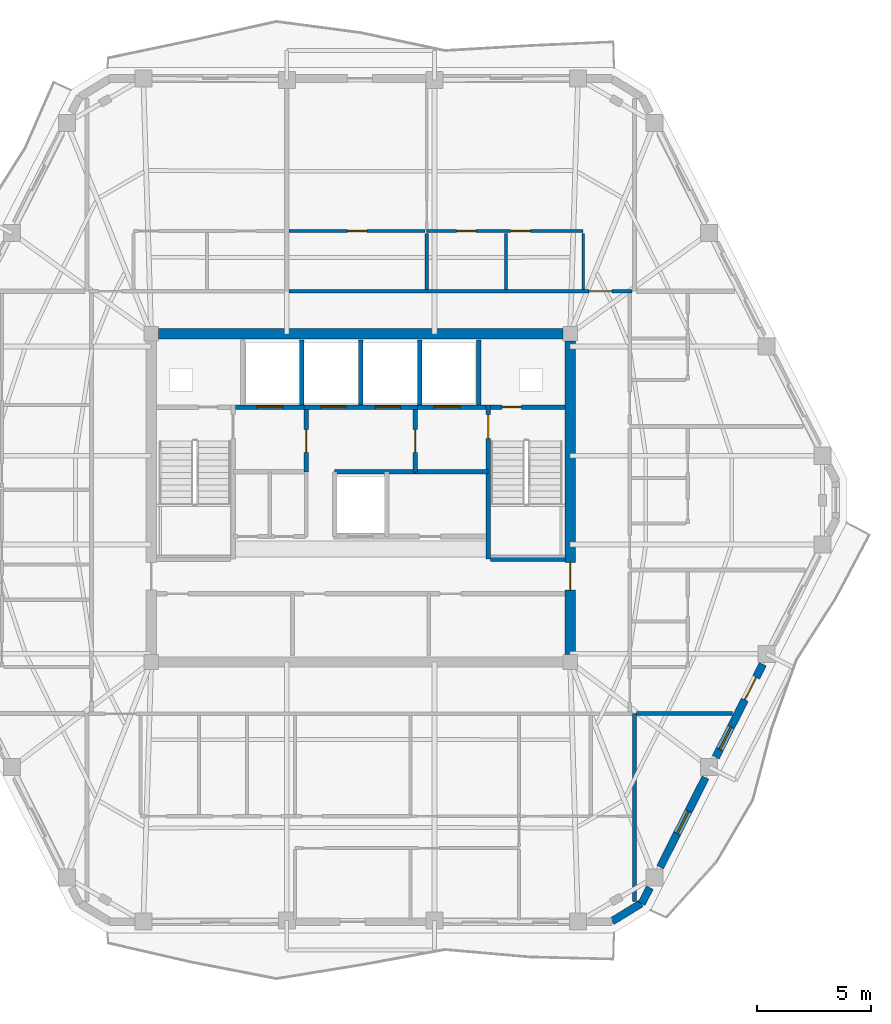
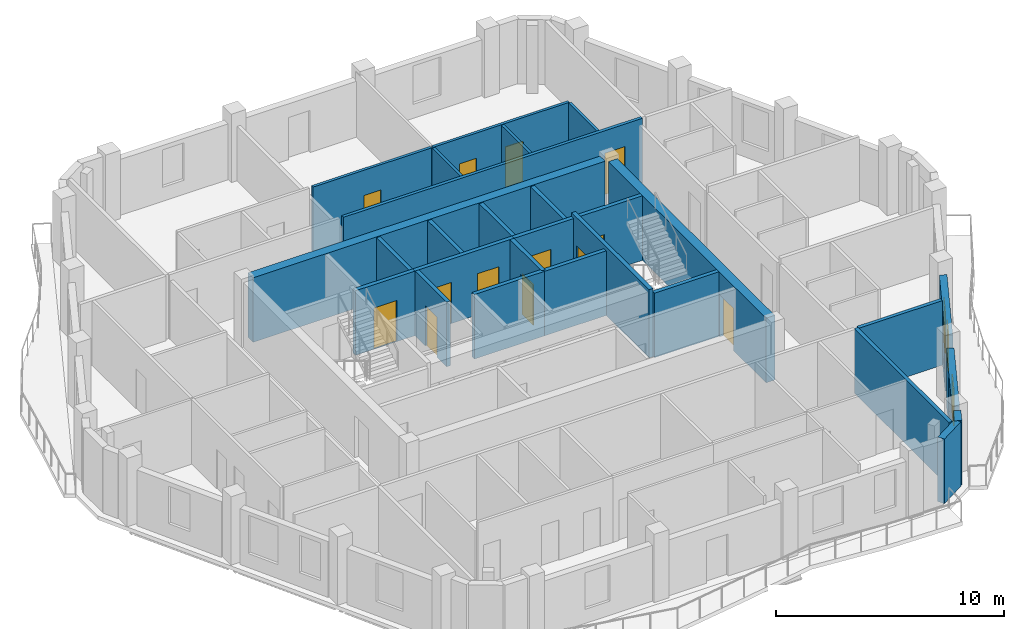
# One storey, part 6 of 11: 28 walls, 14 doors, 2 windows, 16 openings.
"""IFC4 building model written with IfcOpenShell, lengths in metres."""

from ifc_helpers import new_model, si_unit, direction, frame, frame_2d, origin, place, context, subcontext, project, spatial, rectangle, extrude, material, layer, layer_set, type_object, element, fill, save


model = new_model("IFC4")

# Units and contexts
model_context = context("Model", 3, precision=1e-05, world=origin(), true_north=direction((0.0, 1.0)))
body_context = subcontext(model_context, "Body", "Model", "MODEL_VIEW")
ifc_project = project(units=[si_unit("LENGTHUNIT", "METRE"), si_unit("AREAUNIT", "SQUARE_METRE"), si_unit("VOLUMEUNIT", "CUBIC_METRE"), si_unit("PLANEANGLEUNIT", "RADIAN"), si_unit("MASSUNIT", "GRAM", prefix="KILO")], contexts=[model_context])

# Site, building, storey
site_placement = place(None, origin())
site = spatial("IfcSite", under=ifc_project, at=site_placement, CompositionType="ELEMENT")
building_placement = place(site_placement, origin())
building = spatial("IfcBuilding", under=site, at=building_placement, Name="Cinnabar Lancet Tower", CompositionType="ELEMENT")
storey_placement = place(building_placement, frame((0.0, 0.0, 252.550048828125)))
storey = spatial("IfcBuildingStorey", under=building, at=storey_placement, Name="L67", CompositionType="ELEMENT", Elevation=252.550048828125)

# Wall, opening, door
ifc_material_1 = material(Name="Acoustic twin-stud gypsum partition", Category="gypsum")
ifc_layer_1 = layer(ifc_material_1, 0.159912109375)
ifc_layer_set_1 = layer_set([ifc_layer_1], Name="Acoustic twin-stud gypsum partition")
wall_type_1 = type_object("IfcWallType", Name="ARC-WL-CORR-160", PredefinedType="PARTITIONING", material=ifc_layer_set_1)
wall_1_placement = place(storey_placement, frame((29.240966796875, 35.0, 0.0), z_axis=(0.0, 0.0, 1.0), x_axis=(1.0, 0.0, 0.0)))
wall_1 = element("IfcWall", 1, at=wall_1_placement, inside=storey, type_object=wall_type_1, Name="L67 Unit N02 Corridor Wall", PredefinedType="PARTITIONING", context=body_context, shape_type="SweptSolid", body=[
    extrude(rectangle(XDim=15.114013671875, YDim=0.159912109375, at=frame_2d((7.55712890625, 0.0))), origin(), (0.0, 0.0, 1.0), 3.449951171875),
])
opening_1_placement = place(wall_1_placement, frame((13.208984375, 0.0, 0.0)))
opening_1 = element("IfcOpeningElement", 2, at=opening_1_placement, cuts=wall_1, Name="Opening UD-01", PredefinedType="OPENING", context=body_context, shape_type="SweptSolid", body=[
    extrude(rectangle(XDim=1.02001953125, YDim=2.25, at=frame_2d((0.510009765625, 1.125))), frame((0.0, 0.08984375, 0.0), z_axis=(0.0, -1.0, 0.0), x_axis=(1.0, 0.0, 0.0)), (0.0, 0.0, 1.0), 0.179931640625),
])
ifc_material_2 = material(Name="Solid timber fire-rated apartment entrance door", Category="wood")
door_type_1 = type_object("IfcDoorType", Name="ARC-DR-UNIT", OperationType="NOTDEFINED", PredefinedType="DOOR", material=ifc_material_2)
door_1_placement = place(opening_1_placement, origin())
door_1 = element("IfcDoor", 3, at=door_1_placement, inside=storey, type_object=door_type_1, Name="DR-L67-N02-ENT", OperationType="SINGLE_SWING_LEFT", OverallHeight=2.25, OverallWidth=1.02001953125, PredefinedType="DOOR", context=body_context, shape_type="SweptSolid", body=[
    extrude(rectangle(XDim=1.02001953125, YDim=2.25, at=frame_2d((0.510009765625, 1.125))), frame((0.0, 0.02490234375, 0.0), z_axis=(0.0, -1.0, 0.0), x_axis=(1.0, 0.0, 0.0)), (0.0, 0.0, 1.0), 0.050048828125),
])
fill(opening_1, door_1)

# Walls
ifc_material_3 = material(Name="Fire-rated twin-frame acoustic drywall", Category="gypsum")
ifc_layer_2 = layer(ifc_material_3, 0.179931640625)
ifc_layer_set_2 = layer_set([ifc_layer_2], Name="Fire-rated twin-frame acoustic drywall")
wall_type_2 = type_object("IfcWallType", Name="ARC-WL-PARTY-180", PredefinedType="PARTITIONING", material=ifc_layer_set_2)
wall_2_placement = place(storey_placement, frame((44.449951171875, 8.118896484375, 0.0), z_axis=(0.0, 0.0, 1.0), x_axis=(0.0, 1.0, 0.0)))
element("IfcWall", 4, at=wall_2_placement, inside=storey, type_object=wall_type_2, Name="PW-L67-SPTY-444", PredefinedType="PARTITIONING", context=body_context, shape_type="SweptSolid", body=[
    extrude(rectangle(XDim=8.281005859375, YDim=0.179931640625, at=frame_2d((4.140625, 0.0))), origin(), (0.0, 0.0, 1.0), 3.449951171875),
])
wall_3_placement = place(storey_placement, frame((44.544921875, 16.39990234375, 0.0), z_axis=(0.0, 0.0, 1.0), x_axis=(1.0, 0.0, 0.0)))
element("IfcWall", 5, at=wall_3_placement, inside=storey, type_object=wall_type_2, Name="PW-L67-ESB", PredefinedType="PARTITIONING", context=body_context, shape_type="SweptSolid", body=[
    extrude(rectangle(XDim=4.22119140625, YDim=0.179931640625, at=frame_2d((2.110595703125, 0.0))), origin(), (0.0, 0.0, 1.0), 3.449951171875),
])
ifc_material_4 = material(Name="Autoclaved aerated concrete blockwork", Category="masonry")
ifc_layer_3 = layer(ifc_material_4, 0.199951171875)
ifc_layer_set_3 = layer_set([ifc_layer_3], Name="Autoclaved aerated concrete blockwork")
wall_type_3 = type_object("IfcWallType", Name="ARC-WL-SHAFT-200", PredefinedType="PLUMBINGWALL", material=ifc_layer_set_3)
wall_4_placement = place(storey_placement, frame((38.125, 23.199951171875, 0.0), z_axis=(0.0, 0.0, 1.0), x_axis=(1.0, 0.0, 0.0)))
element("IfcWall", 6, at=wall_4_placement, inside=storey, type_object=wall_type_3, Name="CW-ST2S-L67", PredefinedType="PLUMBINGWALL", context=body_context, shape_type="SweptSolid", body=[
    extrude(rectangle(XDim=3.27001953125, YDim=0.199951171875, at=frame_2d((1.635009765625, 0.0))), origin(), (0.0, 0.0, 1.0), 3.449951171875),
])

# Wall, opening, door
wall_5_placement = place(storey_placement, frame((26.885009765625, 29.89990234375, 0.0), z_axis=(0.0, 0.0, 1.0), x_axis=(1.0, 0.0, 0.0)))
wall_5 = element("IfcWall", 7, at=wall_5_placement, inside=storey, type_object=wall_type_3, Name="CW-FL1-L67", PredefinedType="PLUMBINGWALL", context=body_context, shape_type="SweptSolid", body=[
    extrude(rectangle(XDim=3.014892578125, YDim=0.199951171875, at=frame_2d((1.50732421875, 0.0))), origin(), (0.0, 0.0, 1.0), 3.449951171875),
])
opening_2_placement = place(wall_5_placement, frame((0.93994140625, 0.0, 0.0)))
opening_2 = element("IfcOpeningElement", 8, at=opening_2_placement, cuts=wall_5, Name="Opening LD-02", PredefinedType="OPENING", context=body_context, shape_type="SweptSolid", body=[
    extrude(rectangle(XDim=1.14990234375, YDim=2.199951171875, at=frame_2d((0.574951171875, 1.10009765625))), frame((0.0, 0.10986328125, 0.0), z_axis=(0.0, -1.0, 0.0), x_axis=(1.0, 0.0, 0.0)), (0.0, 0.0, 1.0), 0.219970703125),
])
ifc_material_5 = material(Name="Fire-rated stainless steel firefighting lift landing door", Category="steel")
door_type_2 = type_object("IfcDoorType", Name="ARC-DR-LD-FIRE", OperationType="NOTDEFINED", PredefinedType="DOOR", material=ifc_material_5)
door_2_placement = place(opening_2_placement, origin())
door_2 = element("IfcDoor", 9, at=door_2_placement, inside=storey, type_object=door_type_2, Name="L67 Firefighting Lift FL-1 Landing Door", OperationType="DOUBLE_DOOR_SLIDING", OverallHeight=2.199951171875, OverallWidth=1.14990234375, PredefinedType="DOOR", context=body_context, shape_type="SweptSolid", body=[
    extrude(rectangle(XDim=1.14990234375, YDim=2.199951171875, at=frame_2d((0.574951171875, 1.10009765625))), frame((0.0, 0.02490234375, 0.0), z_axis=(0.0, -1.0, 0.0), x_axis=(1.0, 0.0, 0.0)), (0.0, 0.0, 1.0), 0.050048828125),
])
fill(opening_2, door_2)

# Wall, openings, doors
wall_6_placement = place(storey_placement, frame((29.89990234375, 29.89990234375, 0.0), z_axis=(0.0, 0.0, 1.0), x_axis=(1.0, 0.0, 0.0)))
wall_6 = element("IfcWall", 10, at=wall_6_placement, inside=storey, type_object=wall_type_3, Name="CW-PL78-L67", PredefinedType="PLUMBINGWALL", context=body_context, shape_type="SweptSolid", body=[
    extrude(rectangle(XDim=5.0, YDim=0.199951171875, at=frame_2d((2.5, 0.0))), origin(), (0.0, 0.0, 1.0), 3.449951171875),
])
opening_3_placement = place(wall_6_placement, frame((0.75, 0.0, 0.0)))
opening_3 = element("IfcOpeningElement", 11, at=opening_3_placement, cuts=wall_6, Name="Opening LD-01", PredefinedType="OPENING", context=body_context, shape_type="SweptSolid", body=[
    extrude(rectangle(XDim=1.10009765625, YDim=2.199951171875, at=frame_2d((0.550048828125, 1.10009765625))), frame((0.0, 0.10986328125, 0.0), z_axis=(0.0, -1.0, 0.0), x_axis=(1.0, 0.0, 0.0)), (0.0, 0.0, 1.0), 0.219970703125),
])
opening_4_placement = place(wall_6_placement, frame((3.14990234375, 0.0, 0.0)))
opening_4 = element("IfcOpeningElement", 12, at=opening_4_placement, cuts=wall_6, Name="Opening LD-01", PredefinedType="OPENING", context=body_context, shape_type="SweptSolid", body=[
    extrude(rectangle(XDim=1.10009765625, YDim=2.199951171875, at=frame_2d((0.550048828125, 1.10009765625))), frame((0.0, 0.10986328125, 0.0), z_axis=(0.0, -1.0, 0.0), x_axis=(1.0, 0.0, 0.0)), (0.0, 0.0, 1.0), 0.219970703125),
])
ifc_material_6 = material(Name="Brushed stainless steel sliding lift door", Category="steel")
door_type_3 = type_object("IfcDoorType", Name="ARC-DR-LD-PASS", OperationType="NOTDEFINED", PredefinedType="DOOR", material=ifc_material_6)
door_3_placement = place(opening_3_placement, origin())
door_3 = element("IfcDoor", 13, at=door_3_placement, inside=storey, type_object=door_type_3, Name="L67 Lift PL-7 Landing Door", OperationType="DOUBLE_DOOR_SLIDING", OverallHeight=2.199951171875, OverallWidth=1.10009765625, PredefinedType="DOOR", context=body_context, shape_type="SweptSolid", body=[
    extrude(rectangle(XDim=1.10009765625, YDim=2.199951171875, at=frame_2d((0.550048828125, 1.10009765625))), frame((0.0, 0.02490234375, 0.0), z_axis=(0.0, -1.0, 0.0), x_axis=(1.0, 0.0, 0.0)), (0.0, 0.0, 1.0), 0.050048828125),
])
fill(opening_3, door_3)
door_4_placement = place(opening_4_placement, origin())
door_4 = element("IfcDoor", 14, at=door_4_placement, inside=storey, type_object=door_type_3, Name="L67 Lift PL-8 Landing Door", OperationType="DOUBLE_DOOR_SLIDING", OverallHeight=2.199951171875, OverallWidth=1.10009765625, PredefinedType="DOOR", context=body_context, shape_type="SweptSolid", body=[
    extrude(rectangle(XDim=1.10009765625, YDim=2.199951171875, at=frame_2d((0.550048828125, 1.10009765625))), frame((0.0, 0.02490234375, 0.0), z_axis=(0.0, -1.0, 0.0), x_axis=(1.0, 0.0, 0.0)), (0.0, 0.0, 1.0), 0.050048828125),
])
fill(opening_4, door_4)

# Wall, opening, door
wall_7_placement = place(storey_placement, frame((34.89990234375, 29.89990234375, 0.0), z_axis=(0.0, 0.0, 1.0), x_axis=(1.0, 0.0, 0.0)))
wall_7 = element("IfcWall", 15, at=wall_7_placement, inside=storey, type_object=wall_type_3, Name="CW-FL2-L67", PredefinedType="PLUMBINGWALL", context=body_context, shape_type="SweptSolid", body=[
    extrude(rectangle(XDim=3.01513671875, YDim=0.199951171875, at=frame_2d((1.507568359375, 0.0))), origin(), (0.0, 0.0, 1.0), 3.449951171875),
])
opening_5_placement = place(wall_7_placement, frame((0.72509765625, 0.0, 0.0)))
opening_5 = element("IfcOpeningElement", 16, at=opening_5_placement, cuts=wall_7, Name="Opening LD-02", PredefinedType="OPENING", context=body_context, shape_type="SweptSolid", body=[
    extrude(rectangle(XDim=1.14990234375, YDim=2.199951171875, at=frame_2d((0.574951171875, 1.10009765625))), frame((0.0, 0.10986328125, 0.0), z_axis=(0.0, -1.0, 0.0), x_axis=(1.0, 0.0, 0.0)), (0.0, 0.0, 1.0), 0.219970703125),
])
door_5_placement = place(opening_5_placement, origin())
door_5 = element("IfcDoor", 17, at=door_5_placement, inside=storey, type_object=door_type_2, Name="L67 Firefighting Lift FL-2 Landing Door", OperationType="DOUBLE_DOOR_SLIDING", OverallHeight=2.199951171875, OverallWidth=1.14990234375, PredefinedType="DOOR", context=body_context, shape_type="SweptSolid", body=[
    extrude(rectangle(XDim=1.14990234375, YDim=2.199951171875, at=frame_2d((0.574951171875, 1.10009765625))), frame((0.0, 0.02490234375, 0.0), z_axis=(0.0, -1.0, 0.0), x_axis=(1.0, 0.0, 0.0)), (0.0, 0.0, 1.0), 0.050048828125),
])
fill(opening_5, door_5)

wall_8_placement = place(storey_placement, frame((38.125, 29.89990234375, 0.0), z_axis=(0.0, 0.0, 1.0), x_axis=(1.0, 0.0, 0.0)))
wall_8 = element("IfcWall", 18, at=wall_8_placement, inside=storey, type_object=wall_type_3, Name="CW-NSH-E-L67", PredefinedType="PLUMBINGWALL", context=body_context, shape_type="SweptSolid", body=[
    extrude(rectangle(XDim=3.27001953125, YDim=0.199951171875, at=frame_2d((1.635009765625, 0.0))), origin(), (0.0, 0.0, 1.0), 3.449951171875),
])
opening_6_placement = place(wall_8_placement, frame((0.5, 0.0, 0.0)))
opening_6 = element("IfcOpeningElement", 19, at=opening_6_placement, cuts=wall_8, Name="Opening PD-02", PredefinedType="OPENING", context=body_context, shape_type="SweptSolid", body=[
    extrude(rectangle(XDim=0.85009765625, YDim=2.050048828125, at=frame_2d((0.425048828125, 1.02490234375))), frame((0.0, 0.10986328125, 0.0), z_axis=(0.0, -1.0, 0.0), x_axis=(1.0, 0.0, 0.0)), (0.0, 0.0, 1.0), 0.219970703125),
])
ifc_material_7 = material(Name="Fire-rated steel riser access door", Category="steel")
door_type_4 = type_object("IfcDoorType", Name="ARC-DR-RISER", OperationType="NOTDEFINED", PredefinedType="DOOR", material=ifc_material_7)
door_6_placement = place(opening_6_placement, origin())
door_6 = element("IfcDoor", 20, at=door_6_placement, inside=storey, type_object=door_type_4, Name="L67 East Riser Access Door", OperationType="SINGLE_SWING_RIGHT", OverallHeight=2.050048828125, OverallWidth=0.85009765625, PredefinedType="DOOR", context=body_context, shape_type="SweptSolid", body=[
    extrude(rectangle(XDim=0.85009765625, YDim=2.050048828125, at=frame_2d((0.425048828125, 1.02490234375))), frame((0.0, 0.02490234375, 0.0), z_axis=(0.0, -1.0, 0.0), x_axis=(1.0, 0.0, 0.0)), (0.0, 0.0, 1.0), 0.050048828125),
])
fill(opening_6, door_6)

# Walls
for number, where, z_axis, x_axis, name in (
    (21, (29.800048828125, 30.0, 0.0), (0.0, 0.0, 1.0), (0.0, 1.0, 0.0), "CW-NSH-D2-L67"),
    (22, (32.39990234375, 30.0, 0.0), (0.0, 0.0, 1.0), (0.0, 1.0, 0.0), "CW-NSH-D3-L67"),
    (23, (35.0, 30.0, 0.0), (0.0, 0.0, 1.0), (0.0, 1.0, 0.0), "CW-NSH-D4-L67"),
    (24, (37.60009765625, 30.0, 0.0), (0.0, 0.0, 1.0), (0.0, 1.0, 0.0), "CW-NSH-D5-L67"),
):
    element("IfcWall", number, at=place(storey_placement, frame(where, z_axis=z_axis, x_axis=x_axis)), inside=storey, type_object=wall_type_3, Name=name, PredefinedType="PLUMBINGWALL", context=body_context, shape_type="SweptSolid", body=[
        extrude(rectangle(XDim=2.85009765625, YDim=0.199951171875, at=frame_2d((1.425048828125, 0.0))), origin(), (0.0, 0.0, 1.0), 3.449951171875),
    ])

# Wall, opening, door
wall_9_placement = place(storey_placement, frame((30.0, 27.050048828125, 0.0), z_axis=(0.0, 0.0, 1.0), x_axis=(0.0, 1.0, 0.0)))
wall_9 = element("IfcWall", 25, at=wall_9_placement, inside=storey, type_object=wall_type_3, Name="CW-FF1E-L67", PredefinedType="PLUMBINGWALL", context=body_context, shape_type="SweptSolid", body=[
    extrude(rectangle(XDim=2.75, YDim=0.199951171875, at=frame_2d((1.375, 0.0))), origin(), (0.0, 0.0, 1.0), 3.449951171875),
])
opening_7_placement = place(wall_9_placement, frame((0.85009765625, 0.0, 0.0)))
opening_7 = element("IfcOpeningElement", 26, at=opening_7_placement, cuts=wall_9, Name="Opening FD-01", PredefinedType="OPENING", context=body_context, shape_type="SweptSolid", body=[
    extrude(rectangle(XDim=1.0, YDim=2.14990234375, at=frame_2d((0.5, 1.074951171875))), frame((0.0, 0.10986328125, 0.0), z_axis=(0.0, -1.0, 0.0), x_axis=(1.0, 0.0, 0.0)), (0.0, 0.0, 1.0), 0.219970703125),
])
ifc_material_8 = material(Name="Fire-rated timber-core lobby door", Category="wood")
door_type_5 = type_object("IfcDoorType", Name="ARC-DR-FFAL", OperationType="NOTDEFINED", PredefinedType="DOOR", material=ifc_material_8)
door_7_placement = place(opening_7_placement, origin())
door_7 = element("IfcDoor", 27, at=door_7_placement, inside=storey, type_object=door_type_5, Name="L67 FFAL-1 Lobby Fire Door", OperationType="SINGLE_SWING_RIGHT", OverallHeight=2.14990234375, OverallWidth=1.0, PredefinedType="DOOR", context=body_context, shape_type="SweptSolid", body=[
    extrude(rectangle(XDim=1.0, YDim=2.14990234375, at=frame_2d((0.5, 1.074951171875))), frame((0.0, 0.02490234375, 0.0), z_axis=(0.0, -1.0, 0.0), x_axis=(1.0, 0.0, 0.0)), (0.0, 0.0, 1.0), 0.050048828125),
])
fill(opening_7, door_7)

wall_10_placement = place(storey_placement, frame((34.800048828125, 27.050048828125, 0.0), z_axis=(0.0, 0.0, 1.0), x_axis=(0.0, 1.0, 0.0)))
wall_10 = element("IfcWall", 28, at=wall_10_placement, inside=storey, type_object=wall_type_3, Name="CW-FF2W-L67", PredefinedType="PLUMBINGWALL", context=body_context, shape_type="SweptSolid", body=[
    extrude(rectangle(XDim=2.75, YDim=0.199951171875, at=frame_2d((1.375, 0.0))), origin(), (0.0, 0.0, 1.0), 3.449951171875),
])
opening_8_placement = place(wall_10_placement, frame((0.85009765625, 0.0, 0.0)))
opening_8 = element("IfcOpeningElement", 29, at=opening_8_placement, cuts=wall_10, Name="Opening FD-01", PredefinedType="OPENING", context=body_context, shape_type="SweptSolid", body=[
    extrude(rectangle(XDim=1.0, YDim=2.14990234375, at=frame_2d((0.5, 1.074951171875))), frame((0.0, 0.10986328125, 0.0), z_axis=(0.0, -1.0, 0.0), x_axis=(1.0, 0.0, 0.0)), (0.0, 0.0, 1.0), 0.219970703125),
])
door_8_placement = place(opening_8_placement, origin())
door_8 = element("IfcDoor", 30, at=door_8_placement, inside=storey, type_object=door_type_5, Name="L67 FFAL-2 Lobby Fire Door", OperationType="SINGLE_SWING_LEFT", OverallHeight=2.14990234375, OverallWidth=1.0, PredefinedType="DOOR", context=body_context, shape_type="SweptSolid", body=[
    extrude(rectangle(XDim=1.0, YDim=2.14990234375, at=frame_2d((0.5, 1.074951171875))), frame((0.0, 0.02490234375, 0.0), z_axis=(0.0, -1.0, 0.0), x_axis=(1.0, 0.0, 0.0)), (0.0, 0.0, 1.0), 0.050048828125),
])
fill(opening_8, door_8)

# Walls
wall_11_placement = place(storey_placement, frame((34.800048828125, 27.050048828125, 0.0), z_axis=(0.0, 0.0, 1.0), x_axis=(1.0, 0.0, 0.0)))
element("IfcWall", 31, at=wall_11_placement, inside=storey, type_object=wall_type_3, Name="CW-FF2S-L67", PredefinedType="PLUMBINGWALL", context=body_context, shape_type="SweptSolid", body=[
    extrude(rectangle(XDim=3.199951171875, YDim=0.199951171875, at=frame_2d((1.60009765625, 0.0))), origin(), (0.0, 0.0, 1.0), 3.449951171875),
])
wall_12_placement = place(storey_placement, frame((31.25, 27.050048828125, 0.0), z_axis=(0.0, 0.0, 1.0), x_axis=(1.0, 0.0, 0.0)))
element("IfcWall", 32, at=wall_12_placement, inside=storey, type_object=wall_type_3, Name="CW-PL96N-L67", PredefinedType="PLUMBINGWALL", context=body_context, shape_type="SweptSolid", body=[
    extrude(rectangle(XDim=3.550048828125, YDim=0.199951171875, at=frame_2d((1.77490234375, 0.0))), origin(), (0.0, 0.0, 1.0), 3.449951171875),
])
ifc_material_9 = material(Name="Gypsum plasterboard stud partition", Category="gypsum")
ifc_layer_4 = layer(ifc_material_9, 0.125)
ifc_layer_set_4 = layer_set([ifc_layer_4], Name="Gypsum plasterboard stud partition")
wall_type_4 = type_object("IfcWallType", Name="ARC-WL-UNIT-125", PredefinedType="PARTITIONING", material=ifc_layer_set_4)
wall_13_placement = place(storey_placement, frame((42.199951171875, 35.0849609375, 0.0), z_axis=(0.0, 0.0, 1.0), x_axis=(0.0, 1.0, 0.0)))
element("IfcWall", 33, at=wall_13_placement, inside=storey, type_object=wall_type_4, Name="UW-L67-N02-FOYW", PredefinedType="PARTITIONING", context=body_context, shape_type="SweptSolid", body=[
    extrude(rectangle(XDim=2.4599609375, YDim=0.125, at=frame_2d((1.22998046875, 0.0))), origin(), (0.0, 0.0, 1.0), 3.449951171875),
])

# Wall, openings, doors
ifc_material_10 = material(Name="Moisture-resistant cement-board plumbing wall", Category="masonry")
ifc_layer_5 = layer(ifc_material_10, 0.139892578125)
ifc_layer_set_5 = layer_set([ifc_layer_5], Name="Moisture-resistant cement-board plumbing wall")
wall_type_5 = type_object("IfcWallType", Name="ARC-WL-WET-140", PredefinedType="PLUMBINGWALL", material=ifc_layer_set_5)
wall_14_placement = place(storey_placement, frame((35.30810546875, 37.64990234375, 0.0), z_axis=(0.0, 0.0, 1.0), x_axis=(1.0, 0.0, 0.0)))
wall_14 = element("IfcWall", 34, at=wall_14_placement, inside=storey, type_object=wall_type_5, Name="UW-L67-N02-SPL", PredefinedType="PLUMBINGWALL", context=body_context, shape_type="SweptSolid", body=[
    extrude(rectangle(XDim=6.891845703125, YDim=0.139892578125, at=frame_2d((3.44580078125, 0.0))), origin(), (0.0, 0.0, 1.0), 3.449951171875),
])
opening_9_placement = place(wall_14_placement, frame((1.321044921875, 0.0, 0.0)))
opening_9 = element("IfcOpeningElement", 35, at=opening_9_placement, cuts=wall_14, Name="Opening BD-01", PredefinedType="OPENING", context=body_context, shape_type="SweptSolid", body=[
    extrude(rectangle(XDim=0.860107421875, YDim=2.10009765625, at=frame_2d((0.43017578125, 1.050048828125))), frame((0.0, 0.079833984375, 0.0), z_axis=(0.0, -1.0, 0.0), x_axis=(1.0, 0.0, 0.0)), (0.0, 0.0, 1.0), 0.159912109375),
])
opening_10_placement = place(wall_14_placement, frame((3.69189453125, 0.0, 0.0)))
opening_10 = element("IfcOpeningElement", 36, at=opening_10_placement, cuts=wall_14, Name="Opening RD-02", PredefinedType="OPENING", context=body_context, shape_type="SweptSolid", body=[
    extrude(rectangle(XDim=0.8798828125, YDim=2.14990234375, at=frame_2d((0.43994140625, 1.074951171875))), frame((0.0, 0.079833984375, 0.0), z_axis=(0.0, -1.0, 0.0), x_axis=(1.0, 0.0, 0.0)), (0.0, 0.0, 1.0), 0.159912109375),
])
ifc_material_11 = material(Name="Moisture-resistant timber bathroom door", Category="wood")
door_type_6 = type_object("IfcDoorType", Name="ARC-DR-BATH", OperationType="NOTDEFINED", PredefinedType="DOOR", material=ifc_material_11)
door_9_placement = place(opening_9_placement, origin())
door_9 = element("IfcDoor", 37, at=door_9_placement, inside=storey, type_object=door_type_6, Name="DR-L67-N02-BTH", OperationType="SINGLE_SWING_RIGHT", OverallHeight=2.10009765625, OverallWidth=0.860107421875, PredefinedType="DOOR", context=body_context, shape_type="SweptSolid", body=[
    extrude(rectangle(XDim=0.860107421875, YDim=2.10009765625, at=frame_2d((0.43017578125, 1.050048828125))), frame((0.0, 0.02490234375, 0.0), z_axis=(0.0, -1.0, 0.0), x_axis=(1.0, 0.0, 0.0)), (0.0, 0.0, 1.0), 0.050048828125),
])
fill(opening_9, door_9)
ifc_material_12 = material(Name="Engineered timber study door", Category="wood")
door_type_7 = type_object("IfcDoorType", Name="ARC-DR-STUDY", OperationType="NOTDEFINED", PredefinedType="DOOR", material=ifc_material_12)
door_10_placement = place(opening_10_placement, origin())
door_10 = element("IfcDoor", 38, at=door_10_placement, inside=storey, type_object=door_type_7, Name="DR-L67-N02-KIT", OperationType="SINGLE_SWING_LEFT", OverallHeight=2.14990234375, OverallWidth=0.8798828125, PredefinedType="DOOR", context=body_context, shape_type="SweptSolid", body=[
    extrude(rectangle(XDim=0.8798828125, YDim=2.14990234375, at=frame_2d((0.43994140625, 1.074951171875))), frame((0.0, 0.02490234375, 0.0), z_axis=(0.0, -1.0, 0.0), x_axis=(1.0, 0.0, 0.0)), (0.0, 0.0, 1.0), 0.050048828125),
])
fill(opening_10, door_10)

# Wall, opening, door
wall_15_placement = place(storey_placement, frame((29.240966796875, 37.64990234375, 0.0), z_axis=(0.0, 0.0, 1.0), x_axis=(1.0, 0.0, 0.0)))
wall_15 = element("IfcWall", 39, at=wall_15_placement, inside=storey, type_object=wall_type_5, Name="UW-L67-N02-SPM", PredefinedType="PLUMBINGWALL", context=body_context, shape_type="SweptSolid", body=[
    extrude(rectangle(XDim=5.991943359375, YDim=0.139892578125, at=frame_2d((2.99609375, 0.0))), origin(), (0.0, 0.0, 1.0), 3.449951171875),
])
opening_11_placement = place(wall_15_placement, frame((2.571044921875, 0.0, 0.0)))
opening_11 = element("IfcOpeningElement", 40, at=opening_11_placement, cuts=wall_15, Name="Opening BD-01", PredefinedType="OPENING", context=body_context, shape_type="SweptSolid", body=[
    extrude(rectangle(XDim=0.860107421875, YDim=2.10009765625, at=frame_2d((0.43017578125, 1.050048828125))), frame((0.0, 0.079833984375, 0.0), z_axis=(0.0, -1.0, 0.0), x_axis=(1.0, 0.0, 0.0)), (0.0, 0.0, 1.0), 0.159912109375),
])
door_11_placement = place(opening_11_placement, origin())
door_11 = element("IfcDoor", 41, at=door_11_placement, inside=storey, type_object=door_type_6, Name="DR-L67-N02-ENS", OperationType="SINGLE_SWING_LEFT", OverallHeight=2.10009765625, OverallWidth=0.860107421875, PredefinedType="DOOR", context=body_context, shape_type="SweptSolid", body=[
    extrude(rectangle(XDim=0.860107421875, YDim=2.10009765625, at=frame_2d((0.43017578125, 1.050048828125))), frame((0.0, 0.02490234375, 0.0), z_axis=(0.0, -1.0, 0.0), x_axis=(1.0, 0.0, 0.0)), (0.0, 0.0, 1.0), 0.050048828125),
])
fill(opening_11, door_11)

# Walls
for number, where, z_axis, x_axis, name in (
    (42, (38.800048828125, 35.0849609375, 0.0), (0.0, 0.0, 1.0), (0.0, 1.0, 0.0), "UW-L67-N02-KBD"),
    (43, (35.30810546875, 35.0849609375, 0.0), (0.0, 0.0, 1.0), (0.0, 1.0, 0.0), "UW-L67-N02-ENSW"),
):
    element("IfcWall", number, at=place(storey_placement, frame(where, z_axis=z_axis, x_axis=x_axis)), inside=storey, type_object=wall_type_5, Name=name, PredefinedType="PLUMBINGWALL", context=body_context, shape_type="SweptSolid", body=[
        extrude(rectangle(XDim=2.4599609375, YDim=0.139892578125, at=frame_2d((1.22998046875, 0.0))), origin(), (0.0, 0.0, 1.0), 3.449951171875),
    ])
ifc_material_13 = material(Name="Cinnabar red clay brick", Category="masonry")
ifc_layer_6 = layer(ifc_material_13, 0.340087890625)
ifc_layer_set_6 = layer_set([ifc_layer_6], Name="Cinnabar red clay brick")
wall_type_6 = type_object("IfcWallType", Name="ENV-WL-BRK-RED-340", PredefinedType="STANDARD", material=ifc_layer_set_6)
wall_16_placement = place(storey_placement, frame((43.468994140625, 7.2548828125, 0.0), z_axis=(0.0, 0.0, 1.0), x_axis=(0.851680557619, 0.52406128246, 0.0)))
element("IfcWall", 44, at=wall_16_placement, inside=storey, type_object=wall_type_6, Name="L67 Chamfered Corner Brick Pier 2.1", PredefinedType="STANDARD", context=body_context, shape_type="SweptSolid", body=[
    extrude(rectangle(XDim=1.507568359375, YDim=0.340087890625, at=frame_2d((0.75390625, 0.0))), origin(), (0.0, 0.0, 1.0), 3.449951171875),
])
wall_17_placement = place(storey_placement, frame((44.77294921875, 8.029052734375, 0.0), z_axis=(0.0, 0.0, 1.0), x_axis=(0.451159191899, 0.892443490404, 0.0)))
element("IfcWall", 45, at=wall_17_placement, inside=storey, type_object=wall_type_6, Name="L67 Face 2 Masonry Bay Wall 1", PredefinedType="STANDARD", context=body_context, shape_type="SweptSolid", body=[
    extrude(rectangle(XDim=0.791259765625, YDim=0.340087890625, at=frame_2d((0.3955078125, 0.0))), origin(), (0.0, 0.0, 1.0), 3.449951171875),
])

# Wall, opening, window
wall_18_placement = place(storey_placement, frame((45.5859375, 9.636962890625, 0.0), z_axis=(0.0, 0.0, 1.0), x_axis=(0.451440846853, 0.892301048858, 0.0)))
wall_18 = element("IfcWall", 46, at=wall_18_placement, inside=storey, type_object=wall_type_6, Name="L67 Face 2 Masonry Bay Wall 2", PredefinedType="STANDARD", context=body_context, shape_type="SweptSolid", body=[
    extrude(rectangle(XDim=4.43017578125, YDim=0.340087890625, at=frame_2d((2.215087890625, 0.0))), origin(), (0.0, 0.0, 1.0), 2.98291015625),
])
opening_12_placement = place(wall_18_placement, frame((1.6650390625, 0.0, 0.75)))
opening_12 = element("IfcOpeningElement", 47, at=opening_12_placement, cuts=wall_18, Name="Opening WN-04", PredefinedType="OPENING", context=body_context, shape_type="SweptSolid", body=[
    extrude(rectangle(XDim=1.10009765625, YDim=2.0, at=frame_2d((0.550048828125, 1.0))), frame((0.0, 0.179931640625, 0.0), z_axis=(0.0, -1.0, 0.0), x_axis=(1.0, 0.0, 0.0)), (0.0, 0.0, 1.0), 0.360107421875),
])
ifc_material_14 = material(Name="Thermally broken bronze-anodized aluminium tall lancet window", Category="aluminium")
window_type = type_object("IfcWindowType", Name="ENV-WN-LANCET-1100", PartitioningType="SINGLE_PANEL", PredefinedType="WINDOW", material=ifc_material_14)
window_1_placement = place(opening_12_placement, origin())
window_1 = element("IfcWindow", 48, at=window_1_placement, inside=storey, type_object=window_type, Name="L67 Face 2 Gothic Lancet Window 2", OverallHeight=2.0, OverallWidth=1.10009765625, PartitioningType="SINGLE_PANEL", PredefinedType="WINDOW", context=body_context, shape_type="SweptSolid", body=[
    extrude(rectangle(XDim=1.10009765625, YDim=2.0, at=frame_2d((0.550048828125, 1.0))), frame((0.0, 0.030029296875, 0.0), z_axis=(0.0, -1.0, 0.0), x_axis=(1.0, 0.0, 0.0)), (0.0, 0.0, 1.0), 0.06005859375),
])
fill(opening_12, window_1)

# Wall, openings, door, window
wall_19_placement = place(storey_placement, frame((48.031982421875, 14.472900390625, 0.0), z_axis=(0.0, 0.0, 1.0), x_axis=(0.451539564999, 0.892251097641, 0.0)))
wall_19 = element("IfcWall", 49, at=wall_19_placement, inside=storey, type_object=wall_type_6, Name="L67 Face 2 Masonry Bay Wall 3", PredefinedType="STANDARD", context=body_context, shape_type="SweptSolid", body=[
    extrude(rectangle(XDim=4.599609375, YDim=0.340087890625, at=frame_2d((2.2998046875, 0.0))), origin(), (0.0, 0.0, 1.0), 2.98291015625),
])
opening_13_placement = place(wall_19_placement, frame((2.845947265625, 0.0, 0.0)))
opening_13 = element("IfcOpeningElement", 50, at=opening_13_placement, cuts=wall_19, Name="Opening TD-01", PredefinedType="OPENING", context=body_context, shape_type="SweptSolid", body=[
    extrude(rectangle(XDim=1.10009765625, YDim=2.25, at=frame_2d((0.550048828125, 1.125))), frame((0.0, 0.179931640625, 0.0), z_axis=(0.0, -1.0, 0.0), x_axis=(1.0, 0.0, 0.0)), (0.0, 0.0, 1.0), 0.360107421875),
])
opening_14_placement = place(wall_19_placement, frame((0.39990234375, 0.0, 0.75)))
opening_14 = element("IfcOpeningElement", 51, at=opening_14_placement, cuts=wall_19, Name="Opening WN-04", PredefinedType="OPENING", context=body_context, shape_type="SweptSolid", body=[
    extrude(rectangle(XDim=1.10009765625, YDim=2.0, at=frame_2d((0.550048828125, 1.0))), frame((0.0, 0.179931640625, 0.0), z_axis=(0.0, -1.0, 0.0), x_axis=(1.0, 0.0, 0.0)), (0.0, 0.0, 1.0), 0.360107421875),
])
ifc_material_15 = material(Name="Thermally broken low-E glazed balcony terrace door", Category="wood")
door_type_8 = type_object("IfcDoorType", Name="ARC-DR-BALC", OperationType="NOTDEFINED", PredefinedType="DOOR", material=ifc_material_15)
door_12_placement = place(opening_13_placement, origin())
door_12 = element("IfcDoor", 52, at=door_12_placement, inside=storey, type_object=door_type_8, Name="L67 Face 2 Glazed Terrace Door", OperationType="SINGLE_SWING_LEFT", OverallHeight=2.25, OverallWidth=1.10009765625, PredefinedType="DOOR", context=body_context, shape_type="SweptSolid", body=[
    extrude(rectangle(XDim=1.10009765625, YDim=2.25, at=frame_2d((0.550048828125, 1.125))), frame((0.0, 0.02490234375, 0.0), z_axis=(0.0, -1.0, 0.0), x_axis=(1.0, 0.0, 0.0)), (0.0, 0.0, 1.0), 0.050048828125),
])
fill(opening_13, door_12)
window_2_placement = place(opening_14_placement, origin())
window_2 = element("IfcWindow", 53, at=window_2_placement, inside=storey, type_object=window_type, Name="L67 Split-Bay Gothic Lancet Window 239", OverallHeight=2.0, OverallWidth=1.10009765625, PartitioningType="SINGLE_PANEL", PredefinedType="WINDOW", context=body_context, shape_type="SweptSolid", body=[
    extrude(rectangle(XDim=1.10009765625, YDim=2.0, at=frame_2d((0.550048828125, 1.0))), frame((0.0, 0.030029296875, 0.0), z_axis=(0.0, -1.0, 0.0), x_axis=(1.0, 0.0, 0.0)), (0.0, 0.0, 1.0), 0.06005859375),
])
fill(opening_14, window_2)

# Wall
ifc_material_16 = material(Name="Concrete C50/60", Category="concrete")
ifc_layer_7 = layer(ifc_material_16, 0.449951171875)
ifc_layer_set_7 = layer_set([ifc_layer_7], Name="Concrete C50/60")
wall_type_7 = type_object("IfcWallType", Name="STR-WL-CORE-450", PredefinedType="SHEAR", material=ifc_layer_set_7)
wall_20_placement = place(storey_placement, frame((23.5, 33.125, 0.0), z_axis=(0.0, 0.0, 1.0), x_axis=(1.0, 0.0, 0.0)))
element("IfcWall", 54, at=wall_20_placement, inside=storey, type_object=wall_type_7, Name="L67 Core Shear Wall N", PredefinedType="SHEAR", context=body_context, shape_type="SweptSolid", body=[
    extrude(rectangle(XDim=17.800048828125, YDim=0.449951171875, at=frame_2d((8.89990234375, 0.0))), origin(), (0.0, 0.0, 1.0), 3.449951171875),
])

# Wall, opening, door
wall_21_placement = place(storey_placement, frame((41.625, 19.0, 0.0), z_axis=(0.0, 0.0, 1.0), x_axis=(0.0, 1.0, 0.0)))
wall_21 = element("IfcWall", 55, at=wall_21_placement, inside=storey, type_object=wall_type_7, Name="L67 Core Shear Wall E", PredefinedType="SHEAR", context=body_context, shape_type="SweptSolid", body=[
    extrude(rectangle(XDim=13.800048828125, YDim=0.449951171875, at=frame_2d((6.89990234375, 0.0))), origin(), (0.0, 0.0, 1.0), 3.449951171875),
])
opening_15_placement = place(wall_21_placement, frame((2.840087890625, 0.0, 0.0)))
opening_15 = element("IfcOpeningElement", 56, at=opening_15_placement, cuts=wall_21, Name="Opening FD-02", PredefinedType="OPENING", context=body_context, shape_type="SweptSolid", body=[
    extrude(rectangle(XDim=1.219970703125, YDim=2.25, at=frame_2d((0.60986328125, 1.125))), frame((0.0, 0.23486328125, 0.0), z_axis=(0.0, -1.0, 0.0), x_axis=(1.0, 0.0, 0.0)), (0.0, 0.0, 1.0), 0.469970703125),
])
ifc_material_17 = material(Name="Fire-rated double-vision core portal door", Category="wood")
door_type_9 = type_object("IfcDoorType", Name="ARC-DR-CPORT", OperationType="NOTDEFINED", PredefinedType="DOOR", material=ifc_material_17)
door_13_placement = place(opening_15_placement, origin())
door_13 = element("IfcDoor", 57, at=door_13_placement, inside=storey, type_object=door_type_9, Name="L67 East Core Lobby Fire Door", OperationType="SINGLE_SWING_LEFT", OverallHeight=2.25, OverallWidth=1.219970703125, PredefinedType="DOOR", context=body_context, shape_type="SweptSolid", body=[
    extrude(rectangle(XDim=1.219970703125, YDim=2.25, at=frame_2d((0.60986328125, 1.125))), frame((0.0, 0.02490234375, 0.0), z_axis=(0.0, -1.0, 0.0), x_axis=(1.0, 0.0, 0.0)), (0.0, 0.0, 1.0), 0.050048828125),
])
fill(opening_15, door_13)

ifc_material_18 = material(Name="Concrete C50/60", Category="concrete")
ifc_layer_8 = layer(ifc_material_18, 0.199951171875)
ifc_layer_set_8 = layer_set([ifc_layer_8], Name="Concrete C50/60")
wall_type_8 = type_object("IfcWallType", Name="STR-WL-STAIR-200", PredefinedType="SHEAR", material=ifc_layer_set_8)
wall_22_placement = place(storey_placement, frame((38.02001953125, 23.199951171875, 0.0), z_axis=(0.0, 0.0, 1.0), x_axis=(0.0, 1.0, 0.0)))
wall_22 = element("IfcWall", 58, at=wall_22_placement, inside=storey, type_object=wall_type_8, Name="L67 Stair ST-2 Structural Enclosure Wall", PredefinedType="SHEAR", context=body_context, shape_type="SweptSolid", body=[
    extrude(rectangle(XDim=6.780029296875, YDim=0.199951171875, at=frame_2d((3.39013671875, 0.0))), origin(), (0.0, 0.0, 1.0), 3.64990234375),
])
opening_16_placement = place(wall_22_placement, frame((5.320068359375, 0.0, 0.0)))
opening_16 = element("IfcOpeningElement", 59, at=opening_16_placement, cuts=wall_22, Name="Opening SD-01", PredefinedType="OPENING", context=body_context, shape_type="SweptSolid", body=[
    extrude(rectangle(XDim=1.050048828125, YDim=2.14990234375, at=frame_2d((0.52490234375, 1.074951171875))), frame((0.0, 0.10986328125, 0.0), z_axis=(0.0, -1.0, 0.0), x_axis=(1.0, 0.0, 0.0)), (0.0, 0.0, 1.0), 0.219970703125),
])
ifc_material_19 = material(Name="Fire-rated steel stair exit door", Category="steel")
door_type_10 = type_object("IfcDoorType", Name="ARC-DR-STAIR", OperationType="NOTDEFINED", PredefinedType="DOOR", material=ifc_material_19)
door_14_placement = place(opening_16_placement, origin())
door_14 = element("IfcDoor", 60, at=door_14_placement, inside=storey, type_object=door_type_10, Name="L67 Stair ST-2 Fire Door", OperationType="SINGLE_SWING_RIGHT", OverallHeight=2.14990234375, OverallWidth=1.050048828125, PredefinedType="DOOR", context=body_context, shape_type="SweptSolid", body=[
    extrude(rectangle(XDim=1.050048828125, YDim=2.14990234375, at=frame_2d((0.52490234375, 1.074951171875))), frame((0.0, 0.02490234375, 0.0), z_axis=(0.0, -1.0, 0.0), x_axis=(1.0, 0.0, 0.0)), (0.0, 0.0, 1.0), 0.050048828125),
])
fill(opening_16, door_14)

save(model, "model.ifc")
